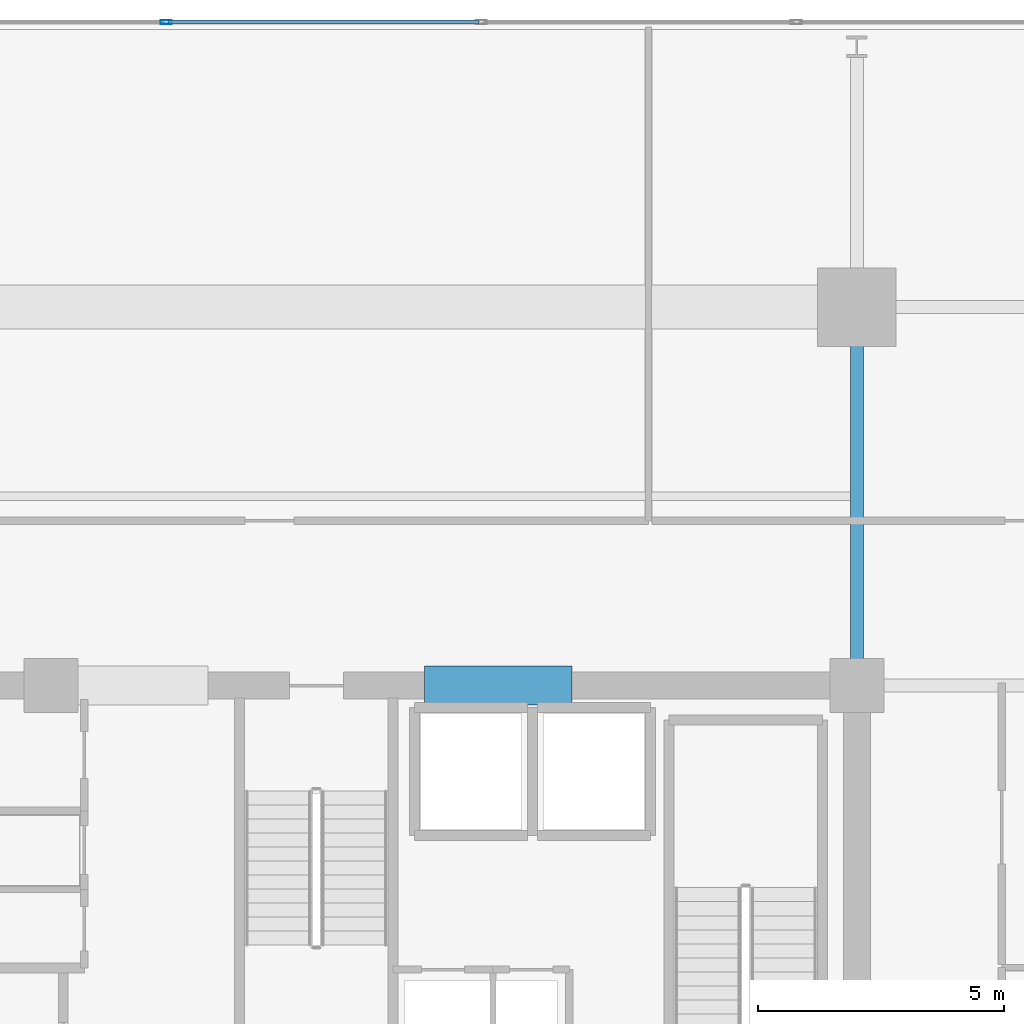
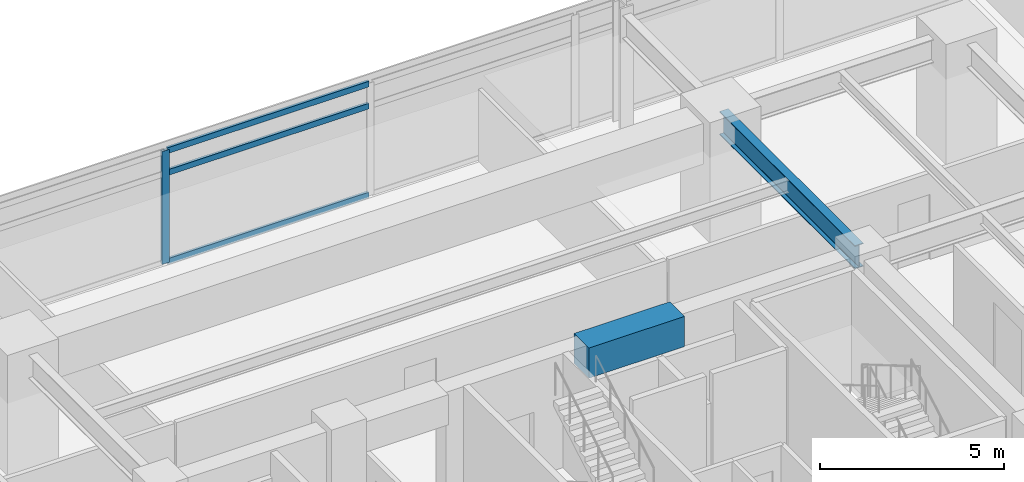
# One storey, part 10 of 23: 4 members, 2 beams, 1 element without a shape of its own.
"""IFC4 building model written with IfcOpenShell, lengths in metres."""

from ifc_helpers import new_model, si_unit, direction, frame, origin, origin_2d, place, context, subcontext, project, spatial, rectangle, hollow_rectangle, i_section, extrude, material, material_profile, profile_set, type_object, element, aggregate, save


model = new_model("IFC4")

# Units and contexts
model_context = context("Model", 3, precision=1e-05, world=origin(), true_north=direction((0.0, 1.0)))
body_context = subcontext(model_context, "Body", "Model", "MODEL_VIEW")
ifc_project = project(units=[si_unit("LENGTHUNIT", "METRE"), si_unit("AREAUNIT", "SQUARE_METRE"), si_unit("VOLUMEUNIT", "CUBIC_METRE"), si_unit("PLANEANGLEUNIT", "RADIAN"), si_unit("MASSUNIT", "GRAM", prefix="KILO")], contexts=[model_context])

# Site, building, storey
site_placement = place(None, origin())
site = spatial("IfcSite", under=ifc_project, at=site_placement, CompositionType="ELEMENT")
building_placement = place(site_placement, origin())
building = spatial("IfcBuilding", under=site, at=building_placement, Name="Kovane Verandah Tower", CompositionType="ELEMENT")
storey_placement = place(building_placement, frame((0.0, 0.0, 136.39990234375)))
storey = spatial("IfcBuildingStorey", under=building, at=storey_placement, Name="L31", CompositionType="ELEMENT", Elevation=136.39990234375)

# Beams
ifc_material_1 = material(Name="Concrete C60/75", Category="concrete")
ifc_material_profile_1 = material_profile(ifc_material_1, rectangle(XDim=0.800048828125, YDim=1.0, at=origin_2d()), Name="RCB800x1000")
ifc_profile_set_1 = profile_set([ifc_material_profile_1], Name="Concrete C60/75")
beam_type_1 = type_object("IfcBeamType", Name="BM-LINTEL-800x1000", PredefinedType="LINTEL", material=ifc_profile_set_1)
beam_1_placement = place(storey_placement, frame((42.199951171875, 36.5, 3.275146484375), z_axis=(1.0, 0.0, 0.0), x_axis=(0.0, 1.0, 0.0)))
element("IfcBeam", 1, at=beam_1_placement, inside=storey, type_object=beam_type_1, Name="L31 Core Coupling Lintel CL-N2", PredefinedType="LINTEL", context=body_context, shape_type="SweptSolid", body=[
    extrude(rectangle(XDim=0.800048828125, YDim=1.0, at=origin_2d()), origin(), (0.0, 0.0, 1.0), 3.0),
])
ifc_material_2 = material(Name="Steel S355", Category="steel")
ifc_material_profile_2 = material_profile(ifc_material_2, i_section(OverallWidth=0.26806640625, OverallDepth=0.769775390625, WebThickness=0.015625, FlangeThickness=0.025390625, FilletRadius=0.0166015625, at=origin_2d()), Name="UB762x267x197")
ifc_profile_set_2 = profile_set([ifc_material_profile_2], Name="Steel S355")
beam_type_2 = type_object("IfcBeamType", Name="BM-UB762x197", PredefinedType="BEAM", material=ifc_profile_set_2)
beam_2_placement = place(storey_placement, frame((51.0, 36.679931640625, 3.39013671875), z_axis=(0.0, 1.0, 0.0), x_axis=(-1.0, 0.0, 0.0)))
element("IfcBeam", 2, at=beam_2_placement, inside=storey, type_object=beam_type_2, Name="L31 Primary Tower Girder G-N2", PredefinedType="BEAM", context=body_context, shape_type="SweptSolid", body=[
    extrude(i_section(OverallWidth=0.26806640625, OverallDepth=0.769775390625, WebThickness=0.015625, FlangeThickness=0.025390625, FilletRadius=0.0166015625, at=origin_2d()), origin(), (0.0, 0.0, 1.0), 7.340087890625),
])

# Curtain wall, members
ifc_material_3 = material(Name="Champagne Anodised Aluminium Frame with Low-E Clear Laminated Glass", Category="aluminium")
curtain_wall_type = type_object("IfcCurtainWallType", Name="CW-SYS-03-MID", PredefinedType="NOTDEFINED", material=ifc_material_3)
curtain_wall_placement = place(storey_placement, origin())
curtain_wall = element("IfcCurtainWall", 3, at=curtain_wall_placement, inside=storey, type_object=curtain_wall_type, Name="L31 N Unitised Curtain Wall", PredefinedType="NOTDEFINED")
ifc_material_4 = material(Name="Champagne Anodised Aluminium 6063-T6", Category="aluminium")
ifc_material_profile_3 = material_profile(ifc_material_4, hollow_rectangle(XDim=0.0849609375, YDim=0.22998046875, WallThickness=0.00390625, at=origin_2d()), Name="AL85x230x4")
ifc_profile_set_3 = profile_set([ifc_material_profile_3], Name="Champagne Anodised Aluminium 6063-T6")
member_type_1 = type_object("IfcMemberType", Name="CW-MUL-85x230", PredefinedType="MULLION", material=ifc_profile_set_3)
member_1_placement = place(storey_placement, frame((36.9462890625, 50.00048828125, 0.02001953125), z_axis=(0.0, 0.0, 1.0), x_axis=(0.0, 1.0, 0.0)))
member_1 = element("IfcMember", 4, at=member_1_placement, type_object=member_type_1, Name="L31 N Unitised Curtain Wall Mullion 5", PredefinedType="MULLION", context=body_context, shape_type="SweptSolid", body=[
    extrude(hollow_rectangle(XDim=0.0849609375, YDim=0.22998046875, WallThickness=0.00390625, at=origin_2d()), origin(), (0.0, 0.0, 1.0), 3.735107421875),
])
ifc_material_profile_4 = material_profile(ifc_material_4, hollow_rectangle(XDim=0.0849609375, YDim=0.18994140625, WallThickness=0.00390625, at=origin_2d()), Name="AL85x190x4")
ifc_profile_set_4 = profile_set([ifc_material_profile_4], Name="Champagne Anodised Aluminium 6063-T6")
member_type_2 = type_object("IfcMemberType", Name="CW-TRN-85x190", PredefinedType="USERDEFINED", material=ifc_profile_set_4)
member_2_placement = place(storey_placement, frame((43.30712890625, 50.00048828125, 0.050048828125), z_axis=(-1.0, 0.0, 0.0), x_axis=(0.0, -1.0, 0.0)))
member_2 = element("IfcMember", 5, at=member_2_placement, type_object=member_type_2, Name="L31 N Unitised Curtain Wall Transom TB Bay 4", ObjectType="TRANSOM", PredefinedType="USERDEFINED", context=body_context, shape_type="SweptSolid", body=[
    extrude(hollow_rectangle(XDim=0.0849609375, YDim=0.18994140625, WallThickness=0.00390625, at=origin_2d()), origin(), (0.0, 0.0, 1.0), 6.31103515625),
])
member_3_placement = place(storey_placement, frame((43.30712890625, 50.00048828125, 2.9951171875), z_axis=(-1.0, 0.0, 0.0), x_axis=(0.0, -1.0, 0.0)))
member_3 = element("IfcMember", 6, at=member_3_placement, type_object=member_type_2, Name="L31 N Unitised Curtain Wall Transom TM Bay 4", ObjectType="TRANSOM", PredefinedType="USERDEFINED", context=body_context, shape_type="SweptSolid", body=[
    extrude(hollow_rectangle(XDim=0.0849609375, YDim=0.18994140625, WallThickness=0.00390625, at=origin_2d()), origin(), (0.0, 0.0, 1.0), 6.31103515625),
])
member_4_placement = place(storey_placement, frame((43.30712890625, 50.00048828125, 3.72509765625), z_axis=(-1.0, 0.0, 0.0), x_axis=(0.0, -1.0, 0.0)))
member_4 = element("IfcMember", 7, at=member_4_placement, type_object=member_type_2, Name="L31 N Unitised Curtain Wall Transom TT Bay 4", ObjectType="TRANSOM", PredefinedType="USERDEFINED", context=body_context, shape_type="SweptSolid", body=[
    extrude(hollow_rectangle(XDim=0.0849609375, YDim=0.18994140625, WallThickness=0.00390625, at=origin_2d()), origin(), (0.0, 0.0, 1.0), 6.31103515625),
])
aggregate(curtain_wall, [member_1, member_2, member_3, member_4])

save(model, "model.ifc")
